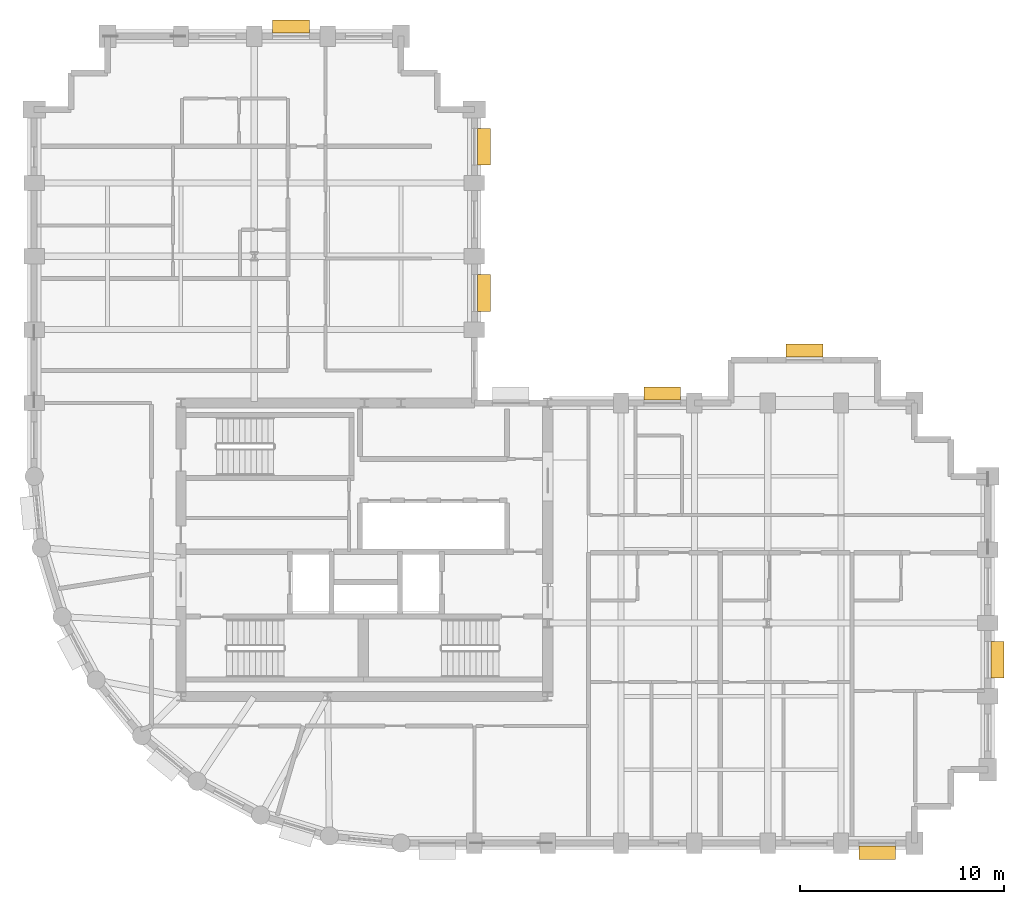
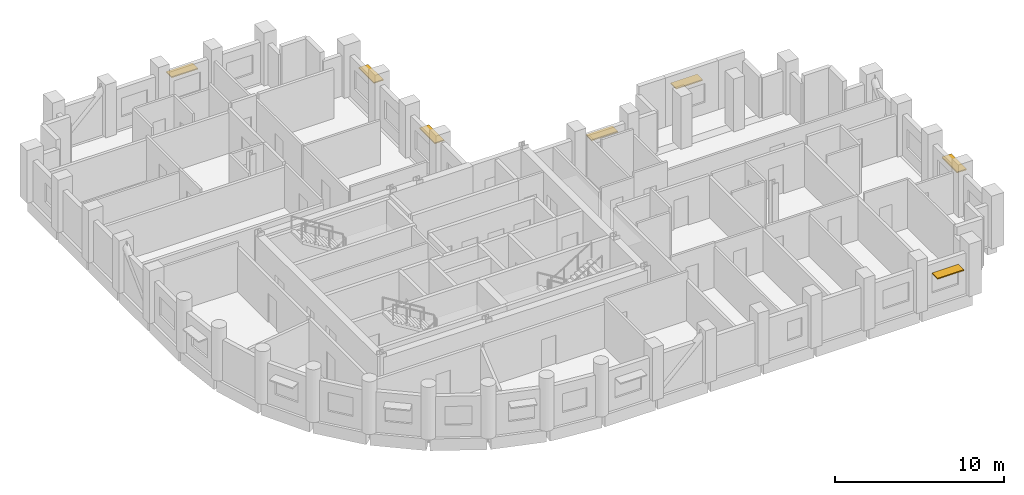
# One storey, part 9 of 9: 7 shading devices.
"""IFC4 building model written with IfcOpenShell, lengths in metres."""

from ifc_helpers import new_model, si_unit, direction, frame, origin, origin_2d, place, context, subcontext, project, spatial, rectangle, extrude, material, layer, layer_set, type_object, element, save


model = new_model("IFC4")

# Units and contexts
model_context = context("Model", 3, precision=1e-05, world=origin(), true_north=direction((0.0, 1.0)))
body_context = subcontext(model_context, "Body", "Model", "MODEL_VIEW")
ifc_project = project(units=[si_unit("LENGTHUNIT", "METRE"), si_unit("AREAUNIT", "SQUARE_METRE"), si_unit("VOLUMEUNIT", "CUBIC_METRE"), si_unit("PLANEANGLEUNIT", "RADIAN"), si_unit("MASSUNIT", "GRAM", prefix="KILO")], contexts=[model_context])

# Site, building, storey
site_placement = place(None, origin())
site = spatial("IfcSite", under=ifc_project, at=site_placement, CompositionType="ELEMENT")
building_placement = place(site_placement, origin())
building = spatial("IfcBuilding", under=site, at=building_placement, Name="Solnavia Interchange Tower", CompositionType="ELEMENT")
storey_placement = place(building_placement, frame((0.0, 0.0, 142.800048828125)))
storey = spatial("IfcBuildingStorey", under=building, at=storey_placement, Name="L35", CompositionType="ELEMENT", Elevation=142.800048828125)

# Shading devices
ifc_material = material(Name="Anodised Aluminium Sunshade", Category="aluminium")
ifc_layer = layer(ifc_material, 0.080078125)
ifc_layer_set = layer_set([ifc_layer], Name="Anodised Aluminium Sunshade")
shading_device_type = type_object("IfcShadingDeviceType", Name="Sunshade-Band-650", PredefinedType="SHUTTER", material=ifc_layer_set)
for number, where, z_axis, x_axis, name in (
    (1, (48.574951171875, 3.1298828125, 2.219970703125), (0.0, 0.0, 1.0), (-1.0, 0.0, 0.0), "SHD-L35-07 Horizontal sunshade band"),
    (2, (54.469970703125, 12.60009765625, 2.219970703125), (0.0, 0.0, 1.0), (0.0, -1.0, 0.0), "SHD-L35-13 Horizontal sunshade band"),
    (3, (45.0, 27.77001953125, 2.219970703125), (0.0, 0.0, 1.0), (1.0, 0.0, 0.0), "SHD-L35-23 Horizontal sunshade band"),
    (4, (38.02001953125, 25.669921875, 2.219970703125), (0.0, 0.0, 1.0), (1.0, 0.0, 0.0), "SHD-L35-27 Horizontal sunshade band"),
    (5, (29.27001953125, 30.60009765625, 2.219970703125), (0.0, 0.0, 1.0), (0.0, -1.0, 0.0), "SHD-L35-31 Horizontal sunshade band"),
    (6, (29.27001953125, 37.77490234375, 2.219970703125), (0.0, 0.0, 1.0), (0.0, -1.0, 0.0), "SHD-L35-33 Horizontal sunshade band"),
    (7, (19.800048828125, 43.669921875, 2.219970703125), (0.0, 0.0, 1.0), (1.0, 0.0, 0.0), "SHD-L35-39 Horizontal sunshade band"),
):
    element("IfcShadingDevice", number, at=place(storey_placement, frame(where, z_axis=z_axis, x_axis=x_axis)), inside=storey, type_object=shading_device_type, Name=name, PredefinedType="SHUTTER", context=body_context, shape_type="SweptSolid", body=[
        extrude(rectangle(XDim=1.800048828125, YDim=0.64990234375, at=origin_2d()), origin(), (0.0, 0.0, 1.0), 0.080078125),
    ])

save(model, "model.ifc")
